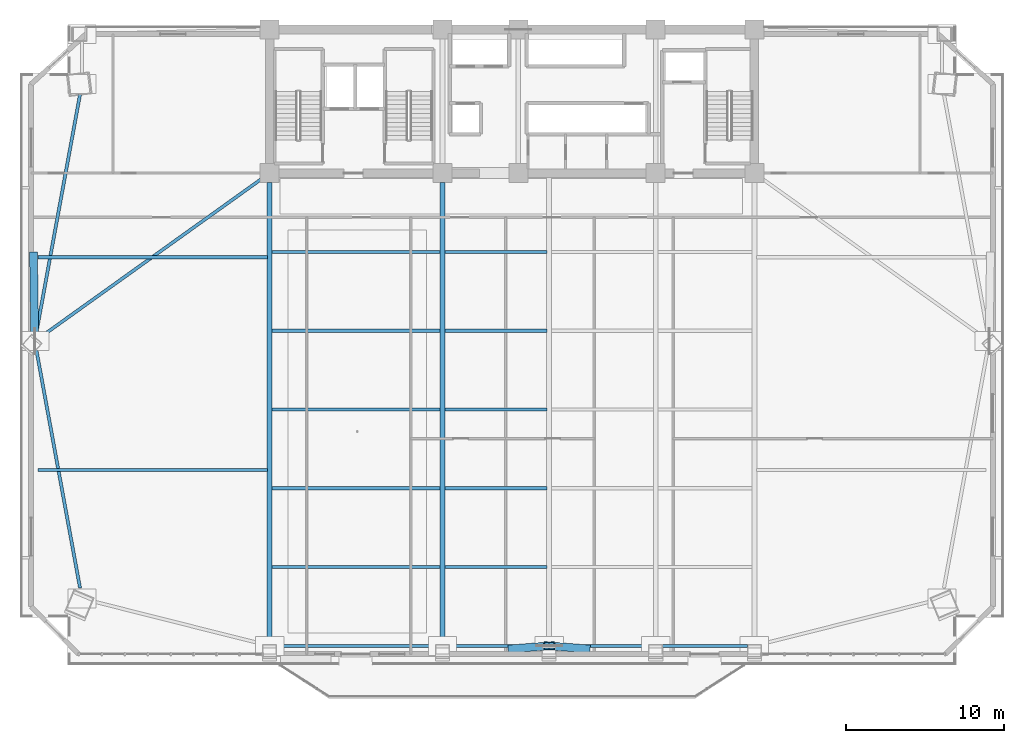
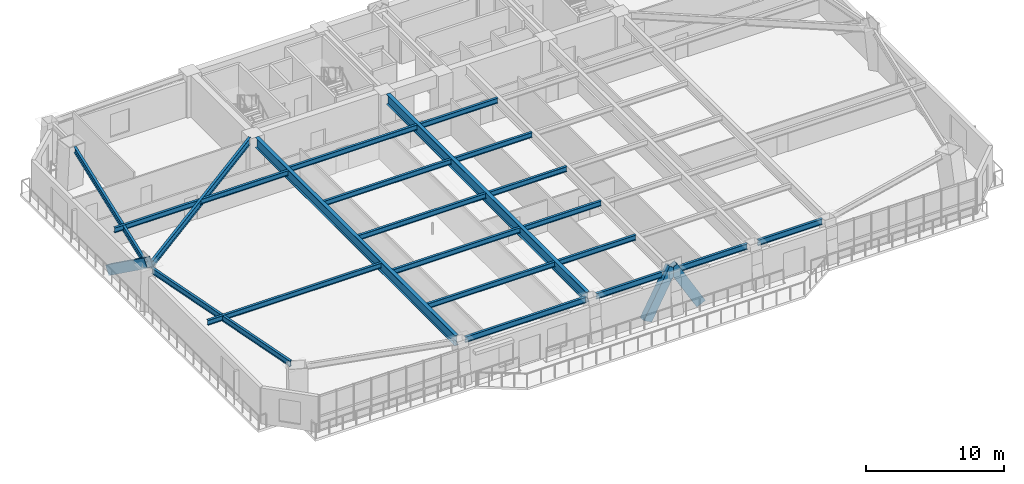
# One storey, part 3 of 15: 21 beams, 3 members.
"""IFC4 building model written with IfcOpenShell, lengths in metres."""

from ifc_helpers import new_model, si_unit, direction, frame, origin, origin_2d, place, context, subcontext, project, spatial, hollow_rectangle, i_section, extrude, source, transform, mapped, material, material_profile, profile_set, type_object, element, save


model = new_model("IFC4")

# Units and contexts
model_context = context("Model", 3, precision=1e-05, world=origin(), true_north=direction((0.0, 1.0)))
body_context = subcontext(model_context, "Body", "Model", "MODEL_VIEW")
ifc_project = project(units=[si_unit("LENGTHUNIT", "METRE"), si_unit("AREAUNIT", "SQUARE_METRE"), si_unit("VOLUMEUNIT", "CUBIC_METRE"), si_unit("PLANEANGLEUNIT", "RADIAN"), si_unit("MASSUNIT", "GRAM", prefix="KILO")], contexts=[model_context])

# Site, building, storey
site_placement = place(None, origin())
site = spatial("IfcSite", under=ifc_project, at=site_placement, CompositionType="ELEMENT")
building_placement = place(site_placement, origin())
building = spatial("IfcBuilding", under=site, at=building_placement, Name="Giltprow Tower", CompositionType="ELEMENT")
storey_placement = place(building_placement, frame((0.0, 0.0, 119.199951171875)))
storey = spatial("IfcBuildingStorey", under=building, at=storey_placement, Name="L29", CompositionType="ELEMENT", Elevation=119.199951171875)

# Beams
ifc_material_1 = material(Name="Structural steel Q355B", Category="steel")
ifc_material_profile_1 = material_profile(ifc_material_1, i_section(OverallWidth=0.199951171875, OverallDepth=0.449951171875, WebThickness=0.009033203125, FlangeThickness=0.013916015625, at=origin_2d()), Name="HN 450x200x9x14")
ifc_profile_set_1 = profile_set([ifc_material_profile_1], Name="Structural steel Q355B")
beam_type_1 = type_object("IfcBeamType", Name="BM-JOIST-HN450", PredefinedType="JOIST", material=ifc_profile_set_1)
shared_shape_1 = source(origin(), body_context, "Body", "SweptSolid", [
    extrude(i_section(OverallWidth=0.199951171875, OverallDepth=0.449951171875, WebThickness=0.009033203125, FlangeThickness=0.013916015625, at=origin_2d()), origin(), (0.0, 0.0, 1.0), 10.659912109375),
])
for number, where, z_axis, x_axis, name in (
    (1, (19.9951171875, 12.507080078125, 3.455078125), (1.0, 0.0, 0.0), (0.0, 1.0, 0.0), "L29 Composite Floor Joist 1-1"),
    (2, (19.9951171875, 17.4951171875, 3.455078125), (1.0, 0.0, 0.0), (0.0, 1.0, 0.0), "L29 Composite Floor Joist 2-1"),
    (3, (19.9951171875, 22.48388671875, 3.455078125), (1.0, 0.0, 0.0), (0.0, 1.0, 0.0), "L29 Composite Floor Joist 3-1"),
    (4, (19.9951171875, 27.472900390625, 3.455078125), (1.0, 0.0, 0.0), (0.0, 1.0, 0.0), "L29 Composite Floor Joist 4-1"),
    (5, (19.9951171875, 32.4609375, 3.455078125), (1.0, 0.0, 0.0), (0.0, 1.0, 0.0), "L29 Composite Floor Joist 5-1"),
):
    element("IfcBeam", number, at=place(storey_placement, frame(where, z_axis=z_axis, x_axis=x_axis)), inside=storey, type_object=beam_type_1, Name=name, PredefinedType="JOIST", context=body_context, shape_type="MappedRepresentation", body=[
        mapped(shared_shape_1, transform((0.0, 0.0, 0.0), x_axis=(1.0, 0.0, 0.0), y_axis=(0.0, 1.0, 0.0), z_axis=(0.0, 0.0, 1.0), scale=1.0)),
    ])
shared_shape_2 = source(origin(), body_context, "Body", "SweptSolid", [
    extrude(i_section(OverallWidth=0.199951171875, OverallDepth=0.449951171875, WebThickness=0.009033203125, FlangeThickness=0.013916015625, at=origin_2d()), origin(), (0.0, 0.0, 1.0), 6.4599609375),
])
for number, where, z_axis, x_axis, name in (
    (6, (30.945068359375, 12.507080078125, 3.455078125), (1.0, 0.0, 0.0), (0.0, 1.0, 0.0), "L29 Composite Floor Joist 1-2"),
    (7, (30.945068359375, 17.4951171875, 3.455078125), (1.0, 0.0, 0.0), (0.0, 1.0, 0.0), "L29 Composite Floor Joist 2-2"),
    (8, (30.945068359375, 22.48388671875, 3.455078125), (1.0, 0.0, 0.0), (0.0, 1.0, 0.0), "L29 Composite Floor Joist 3-2"),
    (9, (30.945068359375, 27.472900390625, 3.455078125), (1.0, 0.0, 0.0), (0.0, 1.0, 0.0), "L29 Composite Floor Joist 4-2"),
    (10, (30.945068359375, 32.4609375, 3.455078125), (1.0, 0.0, 0.0), (0.0, 1.0, 0.0), "L29 Composite Floor Joist 5-2"),
):
    element("IfcBeam", number, at=place(storey_placement, frame(where, z_axis=z_axis, x_axis=x_axis)), inside=storey, type_object=beam_type_1, Name=name, PredefinedType="JOIST", context=body_context, shape_type="MappedRepresentation", body=[
        mapped(shared_shape_2, transform((0.0, 0.0, 0.0), x_axis=(1.0, 0.0, 0.0), y_axis=(0.0, 1.0, 0.0), z_axis=(0.0, 0.0, 1.0), scale=1.0)),
    ])
ifc_material_profile_2 = material_profile(ifc_material_1, i_section(OverallWidth=0.199951171875, OverallDepth=0.5, WebThickness=0.010009765625, FlangeThickness=0.01611328125, at=origin_2d()), Name="HN 500x200x10x16")
ifc_profile_set_2 = profile_set([ifc_material_profile_2], Name="Structural steel Q355B")
beam_type_2 = type_object("IfcBeamType", Name="BM-SPAN-HN500", PredefinedType="SPANDREL", material=ifc_profile_set_2)
shared_shape_3 = source(origin(), body_context, "Body", "SweptSolid", [
    extrude(i_section(OverallWidth=0.199951171875, OverallDepth=0.5, WebThickness=0.010009765625, FlangeThickness=0.01611328125, at=origin_2d()), origin(), (0.0, 0.0, 1.0), 10.080078125),
])
beam_1_placement = place(storey_placement, frame((20.284912109375, 7.51806640625, 3.429931640625), z_axis=(1.0, 0.0, 0.0), x_axis=(0.0, 1.0, 0.0)))
element("IfcBeam", 11, at=beam_1_placement, inside=storey, type_object=beam_type_2, Name="L29 Perimeter Spandrel Beam S1-S2", PredefinedType="SPANDREL", context=body_context, shape_type="MappedRepresentation", body=[
    mapped(shared_shape_3, transform((0.0, 0.0, 0.0), x_axis=(1.0, 0.0, 0.0), y_axis=(0.0, 1.0, 0.0), z_axis=(0.0, 0.0, 1.0), scale=1.0)),
])
shared_shape_4 = source(origin(), body_context, "Body", "SweptSolid", [
    extrude(i_section(OverallWidth=0.199951171875, OverallDepth=0.5, WebThickness=0.010009765625, FlangeThickness=0.01611328125, at=origin_2d()), origin(), (0.0, 0.0, 1.0), 5.8798828125),
])
for number, where, z_axis, x_axis, name in (
    (12, (31.235107421875, 7.51806640625, 3.429931640625), (1.0, 0.0, 0.0), (0.0, 1.0, 0.0), "L29 Perimeter Spandrel Beam S2-S_MID"),
    (13, (37.985107421875, 7.51806640625, 3.429931640625), (1.0, 0.0, 0.0), (0.0, 1.0, 0.0), "L29 Perimeter Spandrel Beam S_MID-S3"),
):
    element("IfcBeam", number, at=place(storey_placement, frame(where, z_axis=z_axis, x_axis=x_axis)), inside=storey, type_object=beam_type_2, Name=name, PredefinedType="SPANDREL", context=body_context, shape_type="MappedRepresentation", body=[
        mapped(shared_shape_4, transform((0.0, 0.0, 0.0), x_axis=(1.0, 0.0, 0.0), y_axis=(0.0, 1.0, 0.0), z_axis=(0.0, 0.0, 1.0), scale=1.0)),
    ])
shared_shape_5 = source(origin(), body_context, "Body", "SweptSolid", [
    extrude(i_section(OverallWidth=0.199951171875, OverallDepth=0.5, WebThickness=0.010009765625, FlangeThickness=0.01611328125, at=origin_2d()), origin(), (0.0, 0.0, 1.0), 5.3798828125),
])
beam_2_placement = place(storey_placement, frame((44.735107421875, 7.51806640625, 3.429931640625), z_axis=(1.0, 0.0, 0.0), x_axis=(0.0, 1.0, 0.0)))
element("IfcBeam", 14, at=beam_2_placement, inside=storey, type_object=beam_type_2, Name="L29 Perimeter Spandrel Beam S3-S4", PredefinedType="SPANDREL", context=body_context, shape_type="MappedRepresentation", body=[
    mapped(shared_shape_5, transform((0.0, 0.0, 0.0), x_axis=(1.0, 0.0, 0.0), y_axis=(0.0, 1.0, 0.0), z_axis=(0.0, 0.0, 1.0), scale=1.0)),
])
shared_shape_6 = source(origin(), body_context, "Body", "SweptSolid", [
    extrude(i_section(OverallWidth=0.199951171875, OverallDepth=0.5, WebThickness=0.010009765625, FlangeThickness=0.01611328125, at=origin_2d()), origin(), (0.0, 0.0, 1.0), 15.45166015625),
])
for number, where, z_axis, x_axis, name in (
    (15, (7.845947265625, 42.43505859375, 3.429931640625), (-0.180424428161, -0.983588849938, 0.0), (0.983588849938, -0.180424428161, 0.0), "L29 Perimeter Spandrel Beam MC_NW-W_MID"),
    (16, (5.05810546875, 26.381103515625, 3.429931640625), (0.180424428161, -0.983588849938, 0.0), (0.983588849938, 0.180424428161, 0.0), "L29 Perimeter Spandrel Beam W_MID-MC_SW"),
):
    element("IfcBeam", number, at=place(storey_placement, frame(where, z_axis=z_axis, x_axis=x_axis)), inside=storey, type_object=beam_type_2, Name=name, PredefinedType="SPANDREL", context=body_context, shape_type="MappedRepresentation", body=[
        mapped(shared_shape_6, transform((0.0, 0.0, 0.0), x_axis=(1.0, 0.0, 0.0), y_axis=(0.0, 1.0, 0.0), z_axis=(0.0, 0.0, 1.0), scale=1.0)),
    ])
ifc_material_profile_3 = material_profile(ifc_material_1, i_section(OverallWidth=0.300048828125, OverallDepth=0.89990234375, WebThickness=0.01611328125, FlangeThickness=0.028076171875, at=origin_2d()), Name="HN 900x300x16x28")
ifc_profile_set_3 = profile_set([ifc_material_profile_3], Name="Structural steel Q355B")
beam_type_3 = type_object("IfcBeamType", Name="BM-GIRD-HN900", PredefinedType="BEAM", material=ifc_profile_set_3)
shared_shape_7 = source(origin(), body_context, "Body", "SweptSolid", [
    extrude(i_section(OverallWidth=0.300048828125, OverallDepth=0.89990234375, WebThickness=0.01611328125, FlangeThickness=0.028076171875, at=origin_2d()), origin(), (0.0, 0.0, 1.0), 28.912109375),
])
for number, where, z_axis, x_axis, name in (
    (17, (19.85009765625, 7.952880859375, 3.22998046875), (0.0, 1.0, 0.0), (-1.0, 0.0, 0.0), "L29 Primary Lease Girder S1"),
    (18, (30.800048828125, 7.952880859375, 3.22998046875), (0.0, 1.0, 0.0), (-1.0, 0.0, 0.0), "L29 Primary Lease Girder S2"),
):
    element("IfcBeam", number, at=place(storey_placement, frame(where, z_axis=z_axis, x_axis=x_axis)), inside=storey, type_object=beam_type_3, Name=name, PredefinedType="BEAM", context=body_context, shape_type="MappedRepresentation", body=[
        mapped(shared_shape_7, transform((0.0, 0.0, 0.0), x_axis=(1.0, 0.0, 0.0), y_axis=(0.0, 1.0, 0.0), z_axis=(0.0, 0.0, 1.0), scale=1.0)),
    ])
ifc_material_profile_4 = material_profile(ifc_material_1, i_section(OverallWidth=0.199951171875, OverallDepth=0.60009765625, WebThickness=0.010986328125, FlangeThickness=0.01708984375, at=origin_2d()), Name="HN 600x200x11x17")
ifc_profile_set_4 = profile_set([ifc_material_profile_4], Name="Structural steel Q355B")
beam_type_4 = type_object("IfcBeamType", Name="BM-GIRD-HN600", PredefinedType="BEAM", material=ifc_profile_set_4)
shared_shape_8 = source(origin(), body_context, "Body", "SweptSolid", [
    extrude(i_section(OverallWidth=0.199951171875, OverallDepth=0.60009765625, WebThickness=0.010986328125, FlangeThickness=0.01708984375, at=origin_2d()), origin(), (0.0, 0.0, 1.0), 17.265869140625),
])
beam_3_placement = place(storey_placement, frame((5.3330078125, 27.06201171875, 3.380126953125), z_axis=(0.813218189266, 0.581958913194, 0.0), x_axis=(-0.581958913194, 0.813218189266, 0.0)))
element("IfcBeam", 19, at=beam_3_placement, inside=storey, type_object=beam_type_4, Name="L29 West Wing Primary Girder", PredefinedType="BEAM", context=body_context, shape_type="MappedRepresentation", body=[
    mapped(shared_shape_8, transform((0.0, 0.0, 0.0), x_axis=(1.0, 0.0, 0.0), y_axis=(0.0, 1.0, 0.0), z_axis=(0.0, 0.0, 1.0), scale=1.0)),
])
shared_shape_9 = source(origin(), body_context, "Body", "SweptSolid", [
    extrude(i_section(OverallWidth=0.199951171875, OverallDepth=0.449951171875, WebThickness=0.009033203125, FlangeThickness=0.013916015625, at=origin_2d()), origin(), (0.0, 0.0, 1.0), 14.506103515625),
])
for number, where, z_axis, x_axis, name in (
    (20, (5.198974609375, 18.658935546875, 3.455078125), (1.0, 0.0, 0.0), (0.0, 1.0, 0.0), "L29 West Wing Floor Joist 1"),
    (21, (5.198974609375, 32.1298828125, 3.455078125), (1.0, 0.0, 0.0), (0.0, 1.0, 0.0), "L29 West Wing Floor Joist 2"),
):
    element("IfcBeam", number, at=place(storey_placement, frame(where, z_axis=z_axis, x_axis=x_axis)), inside=storey, type_object=beam_type_1, Name=name, PredefinedType="JOIST", context=body_context, shape_type="MappedRepresentation", body=[
        mapped(shared_shape_9, transform((0.0, 0.0, 0.0), x_axis=(1.0, 0.0, 0.0), y_axis=(0.0, 1.0, 0.0), z_axis=(0.0, 0.0, 1.0), scale=1.0)),
    ])

# Members
ifc_material_2 = material(Name="Structural steel Q420GJC", Category="steel")
ifc_material_profile_5 = material_profile(ifc_material_2, hollow_rectangle(XDim=0.5, YDim=0.800048828125, WallThickness=0.035888671875, at=origin_2d()), Name="RHS 800x500x36")
ifc_profile_set_5 = profile_set([ifc_material_profile_5], Name="Structural steel Q420GJC")
member_type = type_object("IfcMemberType", Name="MBR-MEGA-RHS800", PredefinedType="BRACE", material=ifc_profile_set_5)
shared_shape_10 = source(origin(), body_context, "Body", "SweptSolid", [
    extrude(hollow_rectangle(XDim=0.5, YDim=0.800048828125, WallThickness=0.035888671875, at=origin_2d()), origin(), (0.0, 0.0, 1.0), 4.506103515625),
])
for number, where, z_axis, x_axis, name in (
    (22, (35.300048828125, 7.342041015625, 0.0), (0.499326947397, 0.039064098207, 0.865532550419), (-0.077995186993, 0.996953735539, 0.0), "L29 Chevron Mega-Brace S-L"),
    (23, (39.800048828125, 7.342041015625, 0.0), (-0.499326947397, 0.039064098207, 0.865532550419), (-0.077995186993, -0.996953735539, 0.0), "L29 Chevron Mega-Brace S-R"),
):
    element("IfcMember", number, at=place(storey_placement, frame(where, z_axis=z_axis, x_axis=x_axis)), inside=storey, type_object=member_type, Name=name, PredefinedType="BRACE", context=body_context, shape_type="MappedRepresentation", body=[
        mapped(shared_shape_10, transform((0.0, 0.0, 0.0), x_axis=(1.0, 0.0, 0.0), y_axis=(0.0, 1.0, 0.0), z_axis=(0.0, 0.0, 1.0), scale=1.0)),
    ])
shared_shape_11 = source(origin(), body_context, "Body", "SweptSolid", [
    extrude(hollow_rectangle(XDim=0.5, YDim=0.800048828125, WallThickness=0.035888671875, at=origin_2d()), origin(), (0.0, 0.0, 1.0), 6.681640625),
])
member_placement = place(storey_placement, frame((4.90087890625, 32.23388671875, 0.0), z_axis=(0.011692300246, -0.811884098312, 0.583701551329), x_axis=(0.999896315389, 0.014399946936, 0.0)))
element("IfcMember", 24, at=member_placement, inside=storey, type_object=member_type, Name="L29 Chevron Mega-Brace W-R", PredefinedType="BRACE", context=body_context, shape_type="MappedRepresentation", body=[
    mapped(shared_shape_11, transform((0.0, 0.0, 0.0), x_axis=(1.0, 0.0, 0.0), y_axis=(0.0, 1.0, 0.0), z_axis=(0.0, 0.0, 1.0), scale=1.0)),
])

save(model, "model.ifc")
